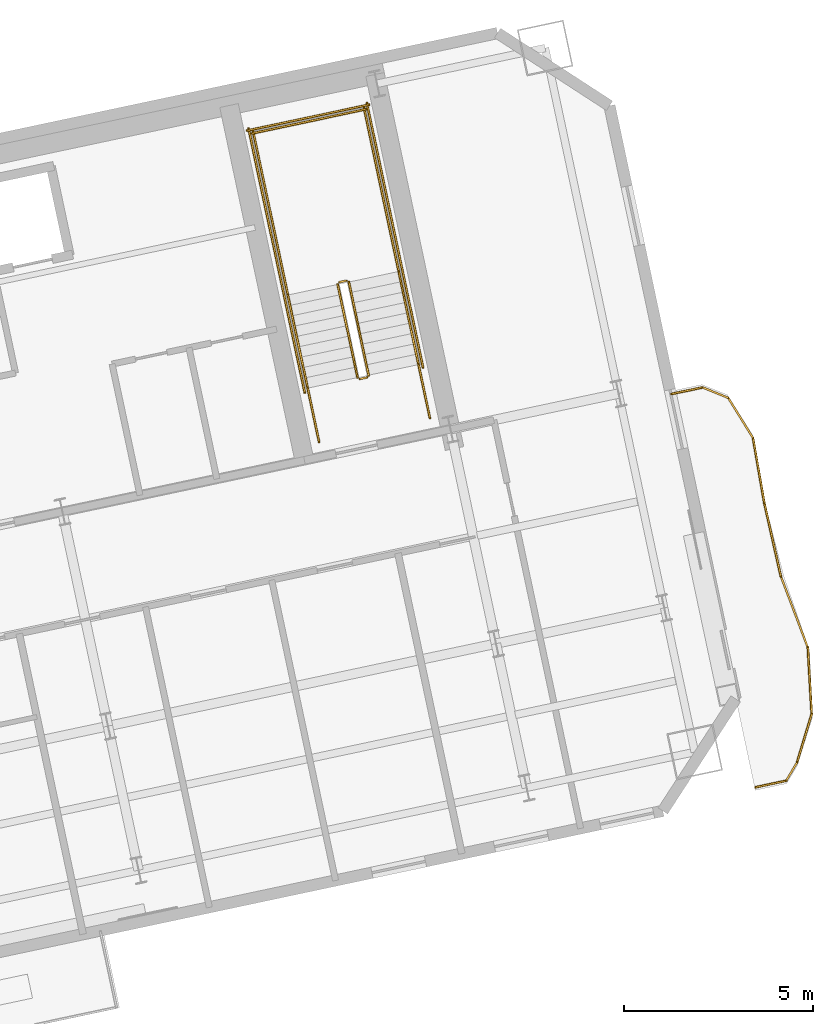
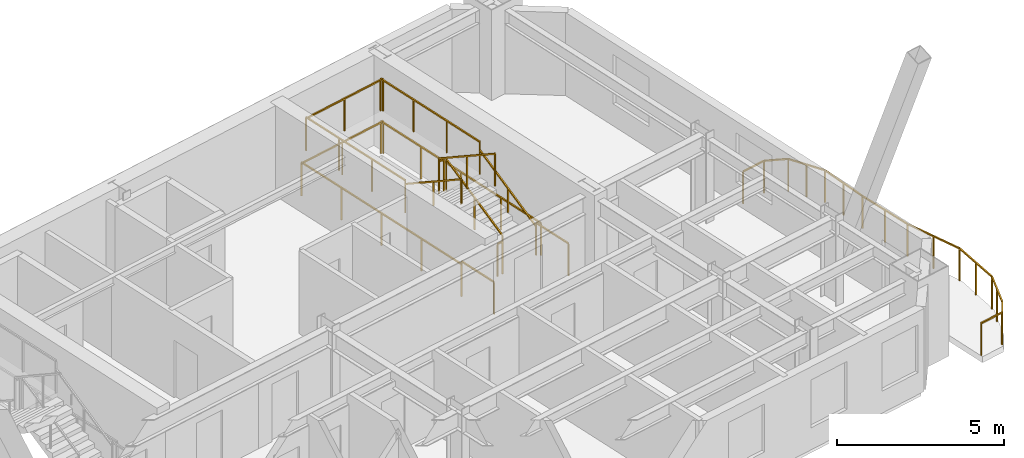
# One storey, part 13 of 13: 24 railings.
"""IFC4 building model written with IfcOpenShell, lengths in metres."""

from ifc_helpers import new_model, si_unit, direction, frame, origin, origin_2d, place, context, subcontext, project, spatial, rectangle, extrude, material, type_object, element, save


model = new_model("IFC4")

# Units and contexts
model_context = context("Model", 3, precision=1e-05, world=origin(), true_north=direction((0.0, 1.0)))
body_context = subcontext(model_context, "Body", "Model", "MODEL_VIEW")
ifc_project = project(units=[si_unit("LENGTHUNIT", "METRE"), si_unit("AREAUNIT", "SQUARE_METRE"), si_unit("VOLUMEUNIT", "CUBIC_METRE"), si_unit("PLANEANGLEUNIT", "RADIAN"), si_unit("MASSUNIT", "GRAM", prefix="KILO")], contexts=[model_context])

# Site, building, storey
site_placement = place(None, origin())
site = spatial("IfcSite", under=ifc_project, at=site_placement, CompositionType="ELEMENT")
building_placement = place(site_placement, origin())
building = spatial("IfcBuilding", under=site, at=building_placement, Name="Haevon Station Towers", CompositionType="ELEMENT")
storey_placement = place(building_placement, frame((0.0, 0.0, 146.10009765625)))
storey = spatial("IfcBuildingStorey", under=building, at=storey_placement, Name="L39", CompositionType="ELEMENT", Elevation=146.10009765625)

# Railings
ifc_material = material(Name="Steel S355", Category="steel")
railing_type_1 = type_object("IfcRailingType", Name="GRD-EXT1200", PredefinedType="GUARDRAIL", material=ifc_material)
railing_1_placement = place(storey_placement, frame((127.363525390625, 32.332275390625, 0.0)))
element("IfcRailing", 1, at=railing_1_placement, inside=storey, type_object=railing_type_1, Name="L39 Perimeter Guardrail 1", PredefinedType="GUARDRAIL", context=body_context, shape_type="SweptSolid", body=[
    extrude(rectangle(XDim=0.048095703125, YDim=0.048095703125, at=origin_2d()), frame((0.0, 0.0, 1.17578125), z_axis=(0.977691431104, 0.210046341426, 0.0), x_axis=(-0.210046341426, 0.977691431104, 0.0)), (0.0, 0.0, 1.0), 0.838134765625),
    extrude(rectangle(XDim=0.0419921875, YDim=0.0419921875, at=origin_2d()), origin(), (0.0, 0.0, 1.0), 1.15185546875),
    extrude(rectangle(XDim=0.0419921875, YDim=0.0419921875, at=origin_2d()), frame((0.8193359375, 0.176025390625, 0.0)), (0.0, 0.0, 1.0), 1.15185546875),
])
railing_2_placement = place(storey_placement, frame((128.182861328125, 32.50830078125, 0.0)))
element("IfcRailing", 2, at=railing_2_placement, inside=storey, type_object=railing_type_1, Name="L39 Perimeter Guardrail 2", PredefinedType="GUARDRAIL", context=body_context, shape_type="SweptSolid", body=[
    extrude(rectangle(XDim=0.048095703125, YDim=0.048095703125, at=origin_2d()), frame((0.0, 0.0, 1.17578125), z_axis=(0.50791843556, 0.861405167629, 0.0), x_axis=(-0.861405167629, 0.50791843556, 0.0)), (0.0, 0.0, 1.0), 0.55810546875),
    extrude(rectangle(XDim=0.0419921875, YDim=0.0419921875, at=origin_2d()), origin(), (0.0, 0.0, 1.0), 1.15185546875),
    extrude(rectangle(XDim=0.0419921875, YDim=0.0419921875, at=origin_2d()), frame((0.283447265625, 0.480712890625, 0.0)), (0.0, 0.0, 1.0), 1.15185546875),
])
railing_3_placement = place(storey_placement, frame((128.46630859375, 32.989013671875, 0.0)))
element("IfcRailing", 3, at=railing_3_placement, inside=storey, type_object=railing_type_1, Name="L39 Perimeter Guardrail 3", PredefinedType="GUARDRAIL", context=body_context, shape_type="SweptSolid", body=[
    extrude(rectangle(XDim=0.048095703125, YDim=0.048095703125, at=origin_2d()), frame((0.0, 0.0, 1.17578125), z_axis=(0.290899845099, 0.95675351064, 0.0), x_axis=(-0.95675351064, 0.290899845099, 0.0)), (0.0, 0.0, 1.0), 1.336181640625),
    extrude(rectangle(XDim=0.0419921875, YDim=0.0419921875, at=origin_2d()), origin(), (0.0, 0.0, 1.0), 1.15185546875),
    extrude(rectangle(XDim=0.0419921875, YDim=0.0419921875, at=origin_2d()), frame((0.1943359375, 0.63916015625, 0.0)), (0.0, 0.0, 1.0), 1.15185546875),
    extrude(rectangle(XDim=0.0419921875, YDim=0.0419921875, at=origin_2d()), frame((0.388671875, 1.2783203125, 0.0)), (0.0, 0.0, 1.0), 1.15185546875),
])
railing_4_placement = place(storey_placement, frame((128.85498046875, 34.267333984375, 0.0)))
element("IfcRailing", 4, at=railing_4_placement, inside=storey, type_object=railing_type_1, Name="L39 Perimeter Guardrail 4", PredefinedType="GUARDRAIL", context=body_context, shape_type="SweptSolid", body=[
    extrude(rectangle(XDim=0.048095703125, YDim=0.048095703125, at=origin_2d()), frame((0.0, 0.0, 1.17578125), z_axis=(-0.057490580882, 0.998346048778, 0.0), x_axis=(-0.998346048778, -0.057490580882, 0.0)), (0.0, 0.0, 1.0), 1.7666015625),
    extrude(rectangle(XDim=0.0419921875, YDim=0.0419921875, at=origin_2d()), origin(), (0.0, 0.0, 1.0), 1.15185546875),
    extrude(rectangle(XDim=0.0419921875, YDim=0.0419921875, at=origin_2d()), frame((-0.05078125, 0.8818359375, 0.0)), (0.0, 0.0, 1.0), 1.15185546875),
    extrude(rectangle(XDim=0.0419921875, YDim=0.0419921875, at=origin_2d()), frame((-0.1015625, 1.763671875, 0.0)), (0.0, 0.0, 1.0), 1.15185546875),
])
railing_5_placement = place(storey_placement, frame((128.75341796875, 36.031005859375, 0.0)))
element("IfcRailing", 5, at=railing_5_placement, inside=storey, type_object=railing_type_1, Name="L39 Perimeter Guardrail 5", PredefinedType="GUARDRAIL", context=body_context, shape_type="SweptSolid", body=[
    extrude(rectangle(XDim=0.048095703125, YDim=0.048095703125, at=origin_2d()), frame((0.0, 0.0, 1.17578125), z_axis=(-0.35410675099, 0.935205009024, 0.0), x_axis=(-0.935205009024, -0.35410675099, 0.0)), (0.0, 0.0, 1.0), 2.0166015625),
    extrude(rectangle(XDim=0.0419921875, YDim=0.0419921875, at=origin_2d()), origin(), (0.0, 0.0, 1.0), 1.15185546875),
    extrude(rectangle(XDim=0.0419921875, YDim=0.0419921875, at=origin_2d()), frame((-0.35693359375, 0.94287109375, 0.0)), (0.0, 0.0, 1.0), 1.15185546875),
    extrude(rectangle(XDim=0.0419921875, YDim=0.0419921875, at=origin_2d()), frame((-0.714111328125, 1.885986328125, 0.0)), (0.0, 0.0, 1.0), 1.15185546875),
])
railing_6_placement = place(storey_placement, frame((128.039306640625, 37.9169921875, 0.0)))
element("IfcRailing", 6, at=railing_6_placement, inside=storey, type_object=railing_type_1, Name="L39 Perimeter Guardrail 6", PredefinedType="GUARDRAIL", context=body_context, shape_type="SweptSolid", body=[
    extrude(rectangle(XDim=0.048095703125, YDim=0.048095703125, at=origin_2d()), frame((0.0, 0.0, 1.17578125), z_axis=(-0.220411539334, 0.975406968054, 0.0), x_axis=(-0.975406968054, -0.220411539334, 0.0)), (0.0, 0.0, 1.0), 1.9892578125),
    extrude(rectangle(XDim=0.0419921875, YDim=0.0419921875, at=origin_2d()), origin(), (0.0, 0.0, 1.0), 1.15185546875),
    extrude(rectangle(XDim=0.0419921875, YDim=0.0419921875, at=origin_2d()), frame((-0.21923828125, 0.97021484375, 0.0)), (0.0, 0.0, 1.0), 1.15185546875),
    extrude(rectangle(XDim=0.0419921875, YDim=0.0419921875, at=origin_2d()), frame((-0.4384765625, 1.9404296875, 0.0)), (0.0, 0.0, 1.0), 1.15185546875),
])
railing_7_placement = place(storey_placement, frame((127.600830078125, 39.857421875, 0.0)))
element("IfcRailing", 7, at=railing_7_placement, inside=storey, type_object=railing_type_1, Name="L39 Perimeter Guardrail 7", PredefinedType="GUARDRAIL", context=body_context, shape_type="SweptSolid", body=[
    extrude(rectangle(XDim=0.048095703125, YDim=0.048095703125, at=origin_2d()), frame((0.0, 0.0, 1.17578125), z_axis=(-0.171741201194, 0.98514210133, 0.0), x_axis=(-0.98514210133, -0.171741201194, 0.0)), (0.0, 0.0, 1.0), 1.75146484375),
    extrude(rectangle(XDim=0.0419921875, YDim=0.0419921875, at=origin_2d()), origin(), (0.0, 0.0, 1.0), 1.15185546875),
    extrude(rectangle(XDim=0.0419921875, YDim=0.0419921875, at=origin_2d()), frame((-0.150390625, 0.86279296875, 0.0)), (0.0, 0.0, 1.0), 1.15185546875),
    extrude(rectangle(XDim=0.0419921875, YDim=0.0419921875, at=origin_2d()), frame((-0.30078125, 1.725341796875, 0.0)), (0.0, 0.0, 1.0), 1.15185546875),
])
railing_8_placement = place(storey_placement, frame((127.300048828125, 41.582763671875, 0.0)))
element("IfcRailing", 8, at=railing_8_placement, inside=storey, type_object=railing_type_1, Name="L39 Perimeter Guardrail 8", PredefinedType="GUARDRAIL", context=body_context, shape_type="SweptSolid", body=[
    extrude(rectangle(XDim=0.048095703125, YDim=0.048095703125, at=origin_2d()), frame((0.0, 0.0, 1.17578125), z_axis=(-0.525806588811, 0.850604156563, 0.0), x_axis=(-0.850604156563, -0.525806588811, 0.0)), (0.0, 0.0, 1.0), 1.242431640625),
    extrude(rectangle(XDim=0.0419921875, YDim=0.0419921875, at=origin_2d()), origin(), (0.0, 0.0, 1.0), 1.15185546875),
    extrude(rectangle(XDim=0.0419921875, YDim=0.0419921875, at=origin_2d()), frame((-0.32666015625, 0.5283203125, 0.0)), (0.0, 0.0, 1.0), 1.15185546875),
    extrude(rectangle(XDim=0.0419921875, YDim=0.0419921875, at=origin_2d()), frame((-0.6533203125, 1.056884765625, 0.0)), (0.0, 0.0, 1.0), 1.15185546875),
])
railing_9_placement = place(storey_placement, frame((126.646728515625, 42.6396484375, 0.0)))
element("IfcRailing", 9, at=railing_9_placement, inside=storey, type_object=railing_type_1, Name="L39 Perimeter Guardrail 9", PredefinedType="GUARDRAIL", context=body_context, shape_type="SweptSolid", body=[
    extrude(rectangle(XDim=0.048095703125, YDim=0.048095703125, at=origin_2d()), frame((0.0, 0.0, 1.17578125), z_axis=(-0.925568245089, 0.378580802053, 0.0), x_axis=(-0.378580802053, -0.925568245089, 0.0)), (0.0, 0.0, 1.0), 0.730712890625),
    extrude(rectangle(XDim=0.0419921875, YDim=0.0419921875, at=origin_2d()), origin(), (0.0, 0.0, 1.0), 1.15185546875),
    extrude(rectangle(XDim=0.0419921875, YDim=0.0419921875, at=origin_2d()), frame((-0.67626953125, 0.276611328125, 0.0)), (0.0, 0.0, 1.0), 1.15185546875),
])
railing_10_placement = place(storey_placement, frame((125.970458984375, 42.916259765625, 0.0)))
element("IfcRailing", 10, at=railing_10_placement, inside=storey, type_object=railing_type_1, Name="L39 Perimeter Guardrail 10", PredefinedType="GUARDRAIL", context=body_context, shape_type="SweptSolid", body=[
    extrude(rectangle(XDim=0.048095703125, YDim=0.048095703125, at=origin_2d()), frame((0.0, 0.0, 1.17578125), z_axis=(-0.978617737227, -0.20568744343, 0.0), x_axis=(0.20568744343, -0.978617737227, 0.0)), (0.0, 0.0, 1.0), 0.837890625),
    extrude(rectangle(XDim=0.0419921875, YDim=0.0419921875, at=origin_2d()), origin(), (0.0, 0.0, 1.0), 1.15185546875),
    extrude(rectangle(XDim=0.0419921875, YDim=0.0419921875, at=origin_2d()), frame((-0.820068359375, -0.17236328125, 0.0)), (0.0, 0.0, 1.0), 1.15185546875),
])
railing_type_2 = type_object("IfcRailingType", Name="GRD-STR1200", PredefinedType="GUARDRAIL", material=ifc_material)
railing_11_placement = place(storey_placement, frame((117.128662109375, 43.23974609375, 0.164794921875)))
element("IfcRailing", 11, at=railing_11_placement, inside=storey, type_object=railing_type_2, Name="L39 ST4 Stair Guard 1", PredefinedType="GUARDRAIL", context=body_context, shape_type="SweptSolid", body=[
    extrude(rectangle(XDim=0.048095703125, YDim=0.048095703125, at=origin_2d()), frame((0.0, 0.0, 1.17578125), z_axis=(-0.179121265225, 0.842687928106, 0.507732831485), x_axis=(-0.978147030254, -0.207914374695, 0.0)), (0.0, 0.0, 1.0), 2.925048828125),
    extrude(rectangle(XDim=0.0419921875, YDim=0.0419921875, at=origin_2d()), origin(), (0.0, 0.0, 1.0), 1.15185546875),
    extrude(rectangle(XDim=0.0419921875, YDim=0.0419921875, at=origin_2d()), frame((-0.261962890625, 1.232421875, 0.74267578125)), (0.0, 0.0, 1.0), 1.15185546875),
    extrude(rectangle(XDim=0.0419921875, YDim=0.0419921875, at=origin_2d()), frame((-0.52392578125, 2.46484375, 1.485107421875)), (0.0, 0.0, 1.0), 1.15185546875),
])
railing_12_placement = place(storey_placement, frame((116.54541015625, 45.7431640625, 1.64990234375)))
element("IfcRailing", 12, at=railing_12_placement, inside=storey, type_object=railing_type_2, Name="L39 ST4 Stair Guard 2", PredefinedType="GUARDRAIL", context=body_context, shape_type="SweptSolid", body=[
    extrude(rectangle(XDim=0.048095703125, YDim=0.048095703125, at=origin_2d()), frame((0.0, 0.0, 1.17578125), z_axis=(-0.97826412705, -0.207362720198, 0.0), x_axis=(0.207362720198, -0.97826412705, 0.0)), (0.0, 0.0, 1.0), 0.2001953125),
    extrude(rectangle(XDim=0.0419921875, YDim=0.0419921875, at=origin_2d()), origin(), (0.0, 0.0, 1.0), 1.15185546875),
    extrude(rectangle(XDim=0.0419921875, YDim=0.0419921875, at=origin_2d()), frame((-0.19580078125, -0.04150390625, 0.0)), (0.0, 0.0, 1.0), 1.15185546875),
])
railing_13_placement = place(storey_placement, frame((117.925048828125, 45.9853515625, 1.64990234375)))
element("IfcRailing", 13, at=railing_13_placement, inside=storey, type_object=railing_type_2, Name="L39 ST4 Stair Guard 3", PredefinedType="GUARDRAIL", context=body_context, shape_type="SweptSolid", body=[
    extrude(rectangle(XDim=0.048095703125, YDim=0.048095703125, at=origin_2d()), frame((0.0, 0.0, 1.17578125), z_axis=(-0.207876551949, 0.978155069071, 0.0), x_axis=(-0.978155069071, -0.207876551949, 0.0)), (0.0, 0.0, 1.0), 4.429931640625),
    extrude(rectangle(XDim=0.0419921875, YDim=0.0419921875, at=origin_2d()), origin(), (0.0, 0.0, 1.0), 1.15185546875),
    extrude(rectangle(XDim=0.0419921875, YDim=0.0419921875, at=origin_2d()), frame((-0.306884765625, 1.4443359375, 0.0)), (0.0, 0.0, 1.0), 1.15185546875),
    extrude(rectangle(XDim=0.0419921875, YDim=0.0419921875, at=origin_2d()), frame((-0.614013671875, 2.888916015625, 0.0)), (0.0, 0.0, 1.0), 1.15185546875),
    extrude(rectangle(XDim=0.0419921875, YDim=0.0419921875, at=origin_2d()), frame((-0.9208984375, 4.333251953125, 0.0)), (0.0, 0.0, 1.0), 1.15185546875),
])
railing_14_placement = place(storey_placement, frame((114.99072265625, 45.361572265625, 1.64990234375)))
element("IfcRailing", 14, at=railing_14_placement, inside=storey, type_object=railing_type_2, Name="L39 ST4 Stair Guard 4", PredefinedType="GUARDRAIL", context=body_context, shape_type="SweptSolid", body=[
    extrude(rectangle(XDim=0.048095703125, YDim=0.048095703125, at=origin_2d()), frame((0.0, 0.0, 1.17578125), z_axis=(-0.207929280007, 0.978143861871, 0.0), x_axis=(-0.978143861871, -0.207929280007, 0.0)), (0.0, 0.0, 1.0), 4.43017578125),
    extrude(rectangle(XDim=0.0419921875, YDim=0.0419921875, at=origin_2d()), origin(), (0.0, 0.0, 1.0), 1.15185546875),
    extrude(rectangle(XDim=0.0419921875, YDim=0.0419921875, at=origin_2d()), frame((-0.30712890625, 1.4443359375, 0.0)), (0.0, 0.0, 1.0), 1.15185546875),
    extrude(rectangle(XDim=0.0419921875, YDim=0.0419921875, at=origin_2d()), frame((-0.614013671875, 2.888916015625, 0.0)), (0.0, 0.0, 1.0), 1.15185546875),
    extrude(rectangle(XDim=0.0419921875, YDim=0.0419921875, at=origin_2d()), frame((-0.921142578125, 4.333251953125, 0.0)), (0.0, 0.0, 1.0), 1.15185546875),
])
railing_15_placement = place(storey_placement, frame((117.0634765625, 50.280029296875, 1.64990234375)))
element("IfcRailing", 15, at=railing_15_placement, inside=storey, type_object=railing_type_2, Name="L39 ST4 Stair Guard 5", PredefinedType="GUARDRAIL", context=body_context, shape_type="SweptSolid", body=[
    extrude(rectangle(XDim=0.048095703125, YDim=0.048095703125, at=origin_2d()), frame((0.0, 0.0, 1.17578125), z_axis=(-0.978146839882, -0.207915270313, 0.0), x_axis=(0.207915270313, -0.978146839882, 0.0)), (0.0, 0.0, 1.0), 3.099853515625),
    extrude(rectangle(XDim=0.0419921875, YDim=0.0419921875, at=origin_2d()), origin(), (0.0, 0.0, 1.0), 1.15185546875),
    extrude(rectangle(XDim=0.0419921875, YDim=0.0419921875, at=origin_2d()), frame((-1.51611328125, -0.322265625, 0.0)), (0.0, 0.0, 1.0), 1.15185546875),
    extrude(rectangle(XDim=0.0419921875, YDim=0.0419921875, at=origin_2d()), frame((-3.0322265625, -0.64453125, 0.0)), (0.0, 0.0, 1.0), 1.15185546875),
])
railing_16_placement = place(storey_placement, frame((116.311279296875, 45.642333984375, 1.81494140625)))
element("IfcRailing", 16, at=railing_16_placement, inside=storey, type_object=railing_type_2, Name="L39 ST4 Stair Guard 6", PredefinedType="GUARDRAIL", context=body_context, shape_type="SweptSolid", body=[
    extrude(rectangle(XDim=0.048095703125, YDim=0.048095703125, at=origin_2d()), frame((0.0, 0.0, 1.17578125), z_axis=(0.179116256339, -0.842747828638, 0.507635168246), x_axis=(0.978151217824, 0.207894673017, 0.0)), (0.0, 0.0, 1.0), 2.925048828125),
    extrude(rectangle(XDim=0.0419921875, YDim=0.0419921875, at=origin_2d()), origin(), (0.0, 0.0, 1.0), 1.15185546875),
    extrude(rectangle(XDim=0.0419921875, YDim=0.0419921875, at=origin_2d()), frame((0.261962890625, -1.232421875, 0.742431640625)), (0.0, 0.0, 1.0), 1.15185546875),
    extrude(rectangle(XDim=0.0419921875, YDim=0.0419921875, at=origin_2d()), frame((0.52392578125, -2.465087890625, 1.48486328125)), (0.0, 0.0, 1.0), 1.15185546875),
])
railing_17_placement = place(storey_placement, frame((117.090087890625, 43.180419921875, 0.0)))
element("IfcRailing", 17, at=railing_17_placement, inside=storey, type_object=railing_type_2, Name="L39 ST4 Stair Guard 7", PredefinedType="GUARDRAIL", context=body_context, shape_type="SweptSolid", body=[
    extrude(rectangle(XDim=0.048095703125, YDim=0.048095703125, at=origin_2d()), frame((0.0, 0.0, 1.17578125), z_axis=(-0.978211583308, -0.207610448392, 0.0), x_axis=(0.207610448392, -0.978211583308, 0.0)), (0.0, 0.0, 1.0), 0.199951171875),
    extrude(rectangle(XDim=0.0419921875, YDim=0.0419921875, at=origin_2d()), origin(), (0.0, 0.0, 1.0), 1.15185546875),
    extrude(rectangle(XDim=0.0419921875, YDim=0.0419921875, at=origin_2d()), frame((-0.195556640625, -0.04150390625, 0.0)), (0.0, 0.0, 1.0), 1.15185546875),
])
for number, where, name in (
    (18, (118.75048828125, 42.10205078125, 0.0), "L39 ST4 Stair Guard 8"),
    (19, (115.816162109375, 41.478271484375, 0.0), "L39 ST4 Stair Guard 9"),
):
    element("IfcRailing", number, at=place(storey_placement, frame(where)), inside=storey, type_object=railing_type_2, Name=name, PredefinedType="GUARDRAIL", context=body_context, shape_type="SweptSolid", body=[
        extrude(rectangle(XDim=0.048095703125, YDim=0.048095703125, at=origin_2d()), frame((0.0, 0.0, 1.17578125), z_axis=(-0.207919161079, 0.978146012851, 0.0), x_axis=(-0.978146012851, -0.207919161079, 0.0)), (0.0, 0.0, 1.0), 1.4501953125),
        extrude(rectangle(XDim=0.0419921875, YDim=0.0419921875, at=origin_2d()), origin(), (0.0, 0.0, 1.0), 1.15185546875),
        extrude(rectangle(XDim=0.0419921875, YDim=0.0419921875, at=origin_2d()), frame((-0.301513671875, 1.41845703125, 0.0)), (0.0, 0.0, 1.0), 1.15185546875),
    ])
railing_18_placement = place(storey_placement, frame((118.567626953125, 43.443359375, 0.0)))
element("IfcRailing", 20, at=railing_18_placement, inside=storey, type_object=railing_type_2, Name="L39 ST4 Stair Guard 10", PredefinedType="GUARDRAIL", context=body_context, shape_type="SweptSolid", body=[
    extrude(rectangle(XDim=0.048095703125, YDim=0.048095703125, at=origin_2d()), frame((0.0, 0.0, 1.17578125), z_axis=(-0.207908168386, 0.978148349443, 0.0), x_axis=(-0.978148349443, -0.207908168386, 0.0)), (0.0, 0.0, 1.0), 7.150146484375),
    extrude(rectangle(XDim=0.0419921875, YDim=0.0419921875, at=origin_2d()), origin(), (0.0, 0.0, 1.0), 1.15185546875),
    extrude(rectangle(XDim=0.0419921875, YDim=0.0419921875, at=origin_2d()), frame((-0.37158203125, 1.74853515625, 0.0)), (0.0, 0.0, 1.0), 1.15185546875),
    extrude(rectangle(XDim=0.0419921875, YDim=0.0419921875, at=origin_2d()), frame((-0.7431640625, 3.4970703125, 0.0)), (0.0, 0.0, 1.0), 1.15185546875),
    extrude(rectangle(XDim=0.0419921875, YDim=0.0419921875, at=origin_2d()), frame((-1.114990234375, 5.245361328125, 0.0)), (0.0, 0.0, 1.0), 1.15185546875),
    extrude(rectangle(XDim=0.0419921875, YDim=0.0419921875, at=origin_2d()), frame((-1.486572265625, 6.993896484375, 0.0)), (0.0, 0.0, 1.0), 1.15185546875),
])
railing_19_placement = place(storey_placement, frame((115.4375, 42.778076171875, 0.0)))
element("IfcRailing", 21, at=railing_19_placement, inside=storey, type_object=railing_type_2, Name="L39 ST4 Stair Guard 11", PredefinedType="GUARDRAIL", context=body_context, shape_type="SweptSolid", body=[
    extrude(rectangle(XDim=0.048095703125, YDim=0.048095703125, at=origin_2d()), frame((0.0, 0.0, 1.17578125), z_axis=(-0.207882442208, 0.978153817261, 0.0), x_axis=(-0.978153817261, -0.207882442208, 0.0)), (0.0, 0.0, 1.0), 7.14990234375),
    extrude(rectangle(XDim=0.0419921875, YDim=0.0419921875, at=origin_2d()), origin(), (0.0, 0.0, 1.0), 1.15185546875),
    extrude(rectangle(XDim=0.0419921875, YDim=0.0419921875, at=origin_2d()), frame((-0.37158203125, 1.74853515625, 0.0)), (0.0, 0.0, 1.0), 1.15185546875),
    extrude(rectangle(XDim=0.0419921875, YDim=0.0419921875, at=origin_2d()), frame((-0.7431640625, 3.496826171875, 0.0)), (0.0, 0.0, 1.0), 1.15185546875),
    extrude(rectangle(XDim=0.0419921875, YDim=0.0419921875, at=origin_2d()), frame((-1.11474609375, 5.2451171875, 0.0)), (0.0, 0.0, 1.0), 1.15185546875),
    extrude(rectangle(XDim=0.0419921875, YDim=0.0419921875, at=origin_2d()), frame((-1.486328125, 6.99365234375, 0.0)), (0.0, 0.0, 1.0), 1.15185546875),
])
railing_20_placement = place(storey_placement, frame((117.140380859375, 50.398681640625, 0.0)))
element("IfcRailing", 22, at=railing_20_placement, inside=storey, type_object=railing_type_2, Name="L39 ST4 Stair Guard 12", PredefinedType="GUARDRAIL", context=body_context, shape_type="SweptSolid", body=[
    extrude(rectangle(XDim=0.048095703125, YDim=0.048095703125, at=origin_2d()), frame((0.0, 0.0, 1.17578125), z_axis=(-0.978135717418, -0.207967589567, 0.0), x_axis=(0.207967589567, -0.978135717418, 0.0)), (0.0, 0.0, 1.0), 3.300048828125),
    extrude(rectangle(XDim=0.0419921875, YDim=0.0419921875, at=origin_2d()), origin(), (0.0, 0.0, 1.0), 1.15185546875),
    extrude(rectangle(XDim=0.0419921875, YDim=0.0419921875, at=origin_2d()), frame((-1.61376953125, -0.34326171875, 0.0)), (0.0, 0.0, 1.0), 1.15185546875),
    extrude(rectangle(XDim=0.0419921875, YDim=0.0419921875, at=origin_2d()), frame((-3.227783203125, -0.686279296875, 0.0)), (0.0, 0.0, 1.0), 1.15185546875),
])
railing_type_3 = type_object("IfcRailingType", Name="HND-STR900", PredefinedType="HANDRAIL", material=ifc_material)
railing_21_placement = place(storey_placement, frame((118.448974609375, 43.5205078125, 0.164794921875)))
element("IfcRailing", 23, at=railing_21_placement, inside=storey, type_object=railing_type_3, Name="L39 ST4 Stair Handrail 1", PredefinedType="HANDRAIL", context=body_context, shape_type="SweptSolid", body=[
    extrude(rectangle(XDim=0.048095703125, YDim=0.048095703125, at=origin_2d()), frame((0.0, 0.0, 0.8759765625), z_axis=(-0.179121265225, 0.842687928106, 0.507732831485), x_axis=(-0.978147030254, -0.207914374695, 0.0)), (0.0, 0.0, 1.0), 2.925048828125),
    extrude(rectangle(XDim=0.0419921875, YDim=0.0419921875, at=origin_2d()), origin(), (0.0, 0.0, 1.0), 0.851806640625),
    extrude(rectangle(XDim=0.0419921875, YDim=0.0419921875, at=origin_2d()), frame((-0.261962890625, 1.232421875, 0.74267578125)), (0.0, 0.0, 1.0), 0.851806640625),
    extrude(rectangle(XDim=0.0419921875, YDim=0.0419921875, at=origin_2d()), frame((-0.52392578125, 2.46484375, 1.485107421875)), (0.0, 0.0, 1.0), 0.851806640625),
])
railing_22_placement = place(storey_placement, frame((114.99072265625, 45.361572265625, 1.81494140625)))
element("IfcRailing", 24, at=railing_22_placement, inside=storey, type_object=railing_type_3, Name="L39 ST4 Stair Handrail 2", PredefinedType="HANDRAIL", context=body_context, shape_type="SweptSolid", body=[
    extrude(rectangle(XDim=0.048095703125, YDim=0.048095703125, at=origin_2d()), frame((0.0, 0.0, 0.8759765625), z_axis=(0.179128856099, -0.842723639875, 0.507670877349), x_axis=(0.978147030254, 0.207914374695, 0.0)), (0.0, 0.0, 1.0), 2.9248046875),
    extrude(rectangle(XDim=0.0419921875, YDim=0.0419921875, at=origin_2d()), origin(), (0.0, 0.0, 1.0), 0.851806640625),
    extrude(rectangle(XDim=0.0419921875, YDim=0.0419921875, at=origin_2d()), frame((0.261962890625, -1.232421875, 0.742431640625)), (0.0, 0.0, 1.0), 0.851806640625),
    extrude(rectangle(XDim=0.0419921875, YDim=0.0419921875, at=origin_2d()), frame((0.52392578125, -2.46484375, 1.48486328125)), (0.0, 0.0, 1.0), 0.851806640625),
])

save(model, "model.ifc")
